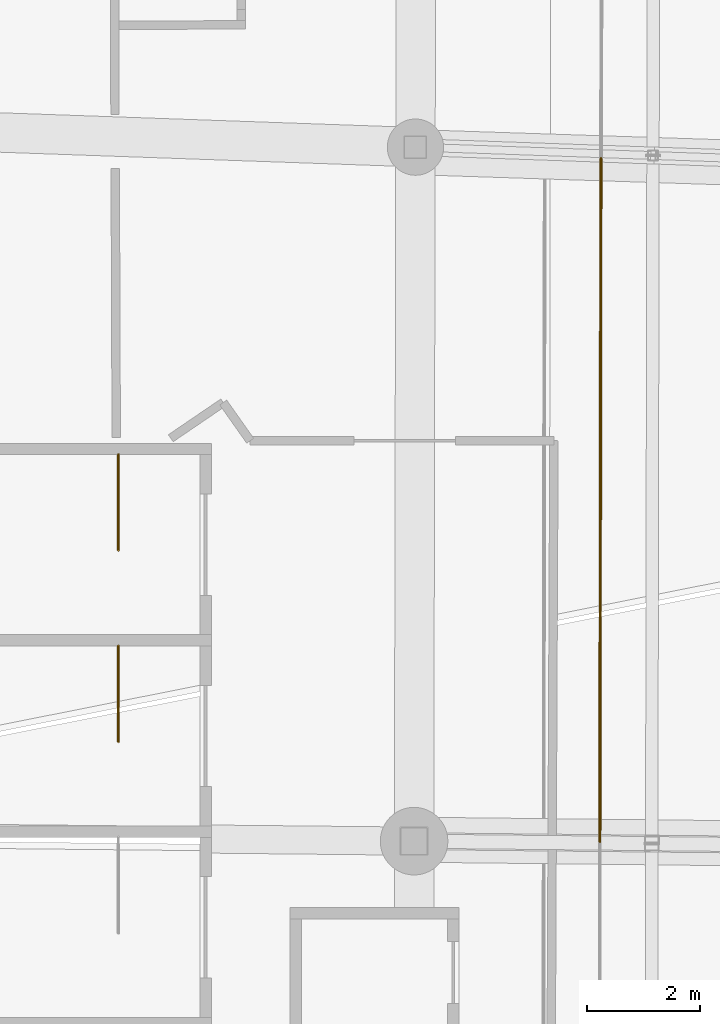
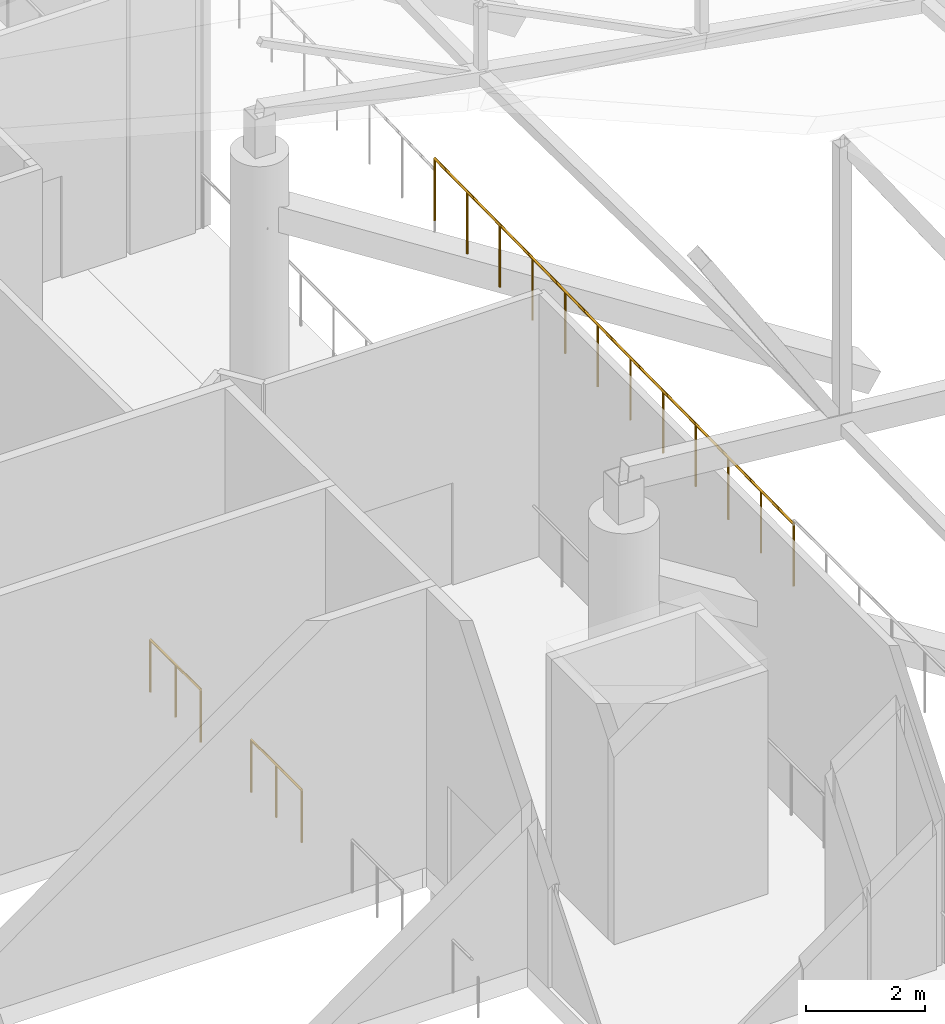
# One storey, part 340 of 344: 3 railings.
"""IFC4 building model written with IfcOpenShell, lengths in metres."""

from ifc_helpers import new_model, si_unit, direction, frame, origin, origin_2d, place, context, subcontext, project, spatial, circle, extrude, material, type_object, element, save


model = new_model("IFC4")

# Units and contexts
model_context = context("Model", 3, precision=1e-05, world=origin(), true_north=direction((0.0, 1.0)))
body_context = subcontext(model_context, "Body", "Model", "MODEL_VIEW")
ifc_project = project(units=[si_unit("LENGTHUNIT", "METRE"), si_unit("AREAUNIT", "SQUARE_METRE"), si_unit("VOLUMEUNIT", "CUBIC_METRE"), si_unit("PLANEANGLEUNIT", "RADIAN"), si_unit("MASSUNIT", "GRAM", prefix="KILO")], contexts=[model_context])

# Site, building, storey
site_placement = place(None, origin())
site = spatial("IfcSite", under=ifc_project, at=site_placement, CompositionType="ELEMENT")
building_placement = place(site_placement, origin())
building = spatial("IfcBuilding", under=site, at=building_placement, Name="Meseta Stadium", CompositionType="ELEMENT")
storey_placement = place(building_placement, frame((0.0, 0.0, 24.0)))
storey = spatial("IfcBuildingStorey", under=building, at=storey_placement, Name="L04", CompositionType="ELEMENT", Elevation=24.0)

# Railings
ifc_material_1 = material(Name="Steel S355", Category="steel")
railing_type_1 = type_object("IfcRailingType", Name="Stair guard 1100", PredefinedType="GUARDRAIL", material=ifc_material_1)
for number, where, name in (
    (1, (-90.25, 12.949951171875, 0.0), "ST65 L04 well guard 1"),
    (2, (-90.25, 9.550048828125, 0.0), "ST66 L04 well guard 1"),
):
    element("IfcRailing", number, at=place(storey_placement, frame(where)), inside=storey, type_object=railing_type_1, Name=name, PredefinedType="GUARDRAIL", context=body_context, shape_type="SweptSolid", body=[
        extrude(circle(Radius=0.02392578125, at=origin_2d()), frame((0.0, 0.0, 1.076171875), z_axis=(0.0, -1.0, 0.0), x_axis=(1.0, 0.0, 0.0)), (0.0, 0.0, 1.0), 1.699951171875),
        extrude(circle(Radius=0.02099609375, at=origin_2d()), origin(), (0.0, 0.0, 1.0), 1.052001953125),
        extrude(circle(Radius=0.02099609375, at=origin_2d()), frame((0.0, -0.85009765625, 0.0)), (0.0, 0.0, 1.0), 1.052001953125),
        extrude(circle(Radius=0.02099609375, at=origin_2d()), frame((0.0, -1.699951171875, 0.0)), (0.0, 0.0, 1.0), 1.052001953125),
    ])
ifc_material_2 = material(Name="Steel S355", Category="steel")
railing_type_2 = type_object("IfcRailingType", Name="Stand rear guard 1300", PredefinedType="GUARDRAIL", material=ifc_material_2)
railing_placement = place(storey_placement, frame((-81.677978515625, 18.213134765625, 3.513671875)))
element("IfcRailing", 3, at=railing_placement, inside=storey, type_object=railing_type_2, Name="Stand upper tier rear guard bay 32", PredefinedType="GUARDRAIL", context=body_context, shape_type="SweptSolid", body=[
    extrude(circle(Radius=0.02490234375, at=origin_2d()), frame((0.0, 0.0, 1.27490234375), z_axis=(-0.00160845792, -0.999917971461, -0.012706817565), x_axis=(0.999998706222, -0.001608587789, 0.0)), (0.0, 0.0, 1.0), 12.142822265625),
    extrude(circle(Radius=0.02001953125, at=origin_2d()), origin(), (0.0, 0.0, 1.0), 1.25),
    extrude(circle(Radius=0.02001953125, at=origin_2d()), frame((-0.001708984375, -1.103759765625, -0.013916015625)), (0.0, 0.0, 1.0), 1.25),
    extrude(circle(Radius=0.02001953125, at=origin_2d()), frame((-0.003662109375, -2.20751953125, -0.028076171875)), (0.0, 0.0, 1.0), 1.25),
    extrude(circle(Radius=0.02001953125, at=origin_2d()), frame((-0.00537109375, -3.3115234375, -0.0419921875)), (0.0, 0.0, 1.0), 1.25),
    extrude(circle(Radius=0.02001953125, at=origin_2d()), frame((-0.007080078125, -4.415283203125, -0.05615234375)), (0.0, 0.0, 1.0), 1.25),
    extrude(circle(Radius=0.02001953125, at=origin_2d()), frame((-0.0087890625, -5.51904296875, -0.070068359375)), (0.0, 0.0, 1.0), 1.25),
    extrude(circle(Radius=0.02001953125, at=origin_2d()), frame((-0.0107421875, -6.622802734375, -0.084228515625)), (0.0, 0.0, 1.0), 1.25),
    extrude(circle(Radius=0.02001953125, at=origin_2d()), frame((-0.012451171875, -7.7265625, -0.09814453125)), (0.0, 0.0, 1.0), 1.25),
    extrude(circle(Radius=0.02001953125, at=origin_2d()), frame((-0.01416015625, -8.830322265625, -0.1123046875)), (0.0, 0.0, 1.0), 1.25),
    extrude(circle(Radius=0.02001953125, at=origin_2d()), frame((-0.015869140625, -9.934326171875, -0.126220703125)), (0.0, 0.0, 1.0), 1.25),
    extrude(circle(Radius=0.02001953125, at=origin_2d()), frame((-0.017822265625, -11.0380859375, -0.140380859375)), (0.0, 0.0, 1.0), 1.25),
    extrude(circle(Radius=0.02001953125, at=origin_2d()), frame((-0.01953125, -12.141845703125, -0.154296875)), (0.0, 0.0, 1.0), 1.25),
])

save(model, "model.ifc")
